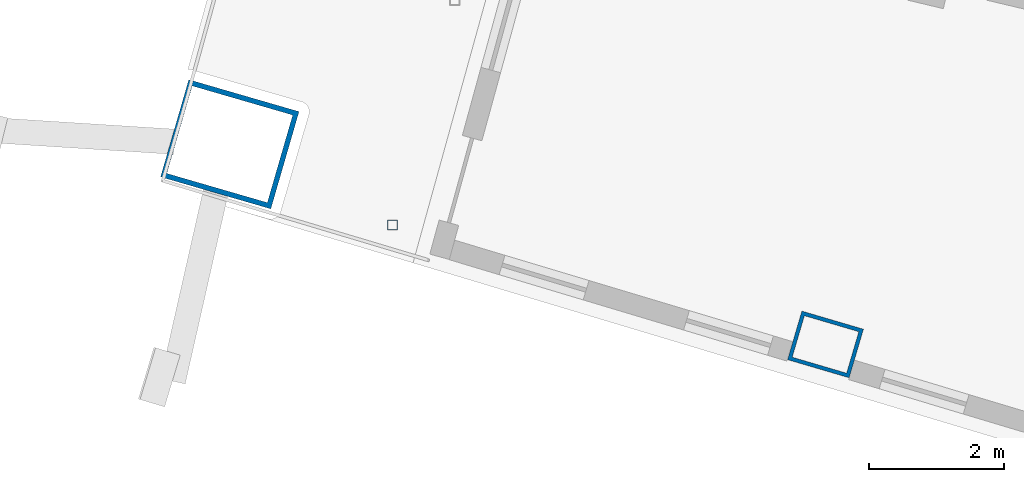
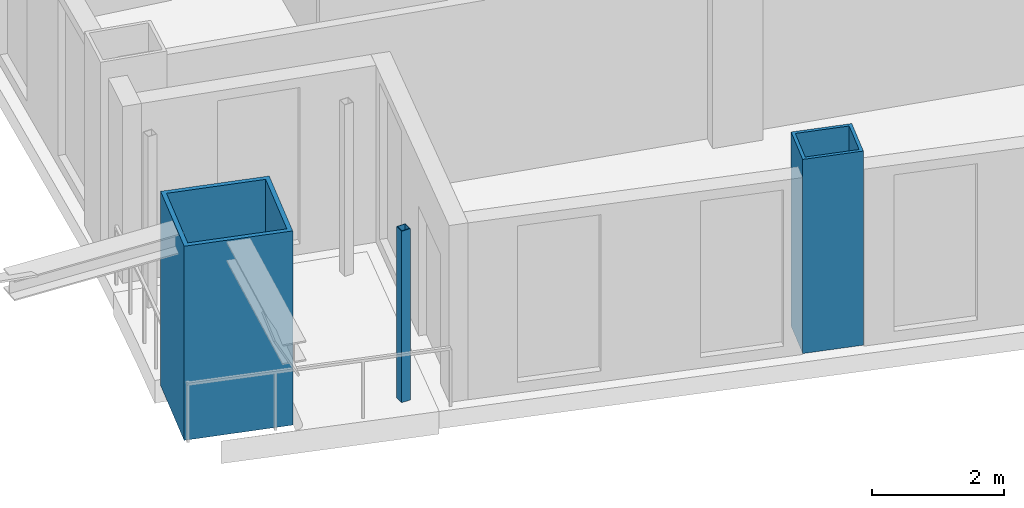
# One storey, part 1 of 21: 3 columns.
"""IFC4 building model written with IfcOpenShell, lengths in metres."""

from ifc_helpers import new_model, si_unit, direction, frame, origin, origin_2d, place, context, subcontext, project, spatial, hollow_rectangle, extrude, material, material_profile, profile_set, type_object, element, save


model = new_model("IFC4")

# Units and contexts
model_context = context("Model", 3, precision=1e-05, world=origin(), true_north=direction((0.0, 1.0)))
body_context = subcontext(model_context, "Body", "Model", "MODEL_VIEW")
ifc_project = project(units=[si_unit("LENGTHUNIT", "METRE"), si_unit("AREAUNIT", "SQUARE_METRE"), si_unit("VOLUMEUNIT", "CUBIC_METRE"), si_unit("PLANEANGLEUNIT", "RADIAN"), si_unit("MASSUNIT", "GRAM", prefix="KILO")], contexts=[model_context])

# Site, building, storey
site_placement = place(None, origin())
site = spatial("IfcSite", under=ifc_project, at=site_placement, CompositionType="ELEMENT")
building_placement = place(site_placement, origin())
building = spatial("IfcBuilding", under=site, at=building_placement, Name="Alderwake Tower", CompositionType="ELEMENT")
storey_placement = place(building_placement, frame((0.0, 0.0, 207.199951171875)))
storey = spatial("IfcBuildingStorey", under=building, at=storey_placement, Name="L51", CompositionType="ELEMENT", Elevation=207.199951171875)

# Columns
ifc_material_1 = material(Name="Steel ASTM A572 Grade 50 concrete filled C70/85", Category="concrete")
ifc_material_profile_1 = material_profile(ifc_material_1, hollow_rectangle(XDim=0.75, YDim=0.949951171875, WallThickness=0.054931640625, at=origin_2d()), Name="BOX 950X750X55")
ifc_profile_set_1 = profile_set([ifc_material_profile_1], Name="Steel ASTM A572 Grade 50 concrete filled C70/85")
column_type_1 = type_object("IfcColumnType", Name="End column Z4", PredefinedType="COLUMN", material=ifc_profile_set_1)
column_1_placement = place(storey_placement, frame((21.885498046875, 31.03759765625, 0.0), z_axis=(0.0, 0.0, 1.0), x_axis=(0.282132160283, 0.95937554906, 0.0)))
element("IfcColumn", 1, at=column_1_placement, inside=storey, type_object=column_type_1, Name="Column R02-C1", PredefinedType="COLUMN", context=body_context, shape_type="SweptSolid", body=[
    extrude(hollow_rectangle(XDim=0.75, YDim=0.949951171875, WallThickness=0.054931640625, at=origin_2d()), origin(), (0.0, 0.0, 1.0), 3.60009765625),
])
ifc_material_2 = material(Name="Steel ASTM A500 Grade C", Category="steel")
ifc_material_profile_2 = material_profile(ifc_material_2, hollow_rectangle(XDim=0.15234375, YDim=0.15234375, WallThickness=0.0087890625, at=origin_2d()), Name="HSS6X6X3/8")
ifc_profile_set_2 = profile_set([ifc_material_profile_2], Name="Steel ASTM A500 Grade C")
column_type_2 = type_object("IfcColumnType", Name="Light post HSS6X6X3/8", PredefinedType="COLUMN", material=ifc_profile_set_2)
column_2_placement = place(storey_placement, frame((15.47412109375, 32.805908203125, 0.0), z_axis=(0.0, 0.0, 1.0), x_axis=(1.0, 0.0, 0.0)))
element("IfcColumn", 2, at=column_2_placement, inside=storey, type_object=column_type_2, Name="Terrace post RS2", PredefinedType="COLUMN", context=body_context, shape_type="SweptSolid", body=[
    extrude(hollow_rectangle(XDim=0.15234375, YDim=0.15234375, WallThickness=0.0087890625, at=origin_2d()), origin(), (0.0, 0.0, 1.0), 3.179931640625),
])
ifc_material_3 = material(Name="Steel ASTM A572 Grade 50 concrete filled C70/85", Category="concrete")
ifc_material_profile_3 = material_profile(ifc_material_3, hollow_rectangle(XDim=1.5, YDim=1.699951171875, WallThickness=0.074951171875, at=origin_2d()), Name="BOX 1700X1500X75")
ifc_profile_set_3 = profile_set([ifc_material_profile_3], Name="Steel ASTM A572 Grade 50 concrete filled C70/85")
column_type_3 = type_object("IfcColumnType", Name="Mega column Z4", PredefinedType="COLUMN", material=ifc_profile_set_3)
column_3_placement = place(storey_placement, frame((13.06298828125, 34.00244140625, 0.0), z_axis=(0.0, 0.0, 1.0), x_axis=(0.278612301868, 0.960403657452, 0.0)))
element("IfcColumn", 3, at=column_3_placement, inside=storey, type_object=column_type_3, Name="Column R02-C0", PredefinedType="COLUMN", context=body_context, shape_type="SweptSolid", body=[
    extrude(hollow_rectangle(XDim=1.5, YDim=1.699951171875, WallThickness=0.074951171875, at=origin_2d()), origin(), (0.0, 0.0, 1.0), 3.60009765625),
])

save(model, "model.ifc")
